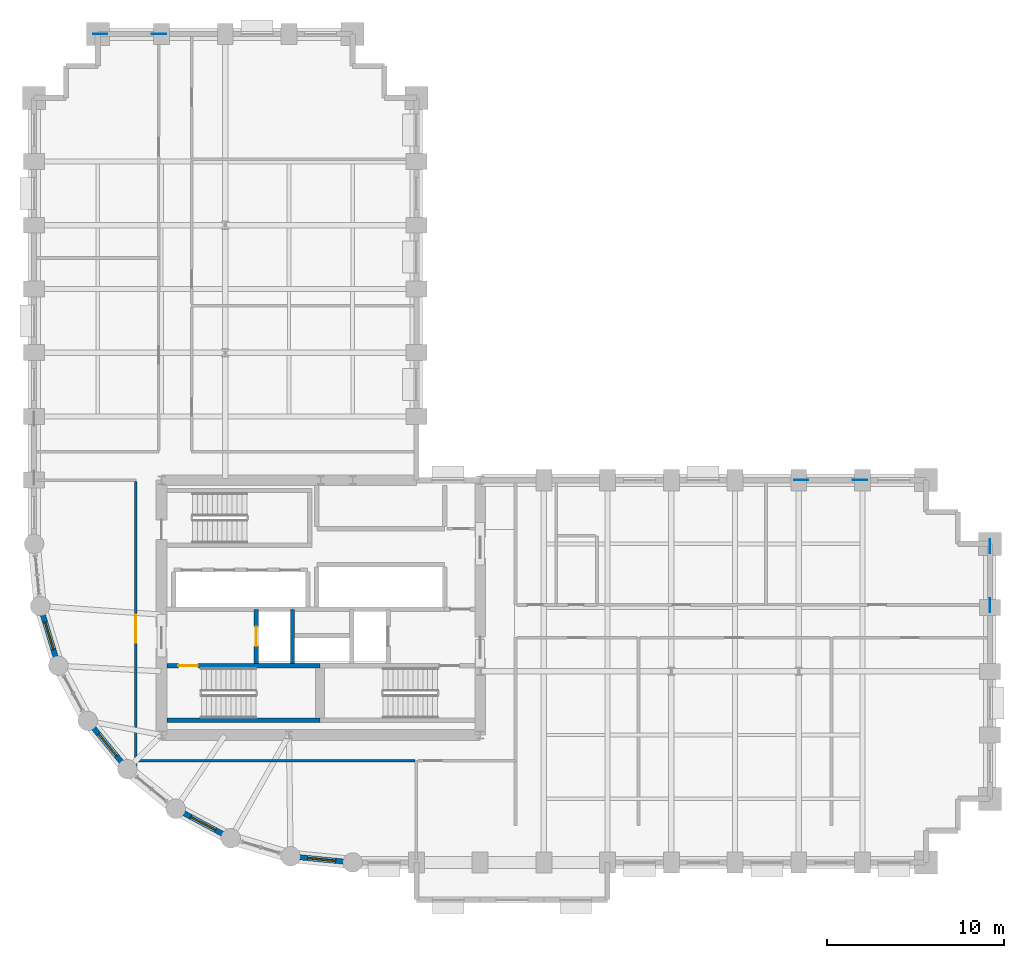
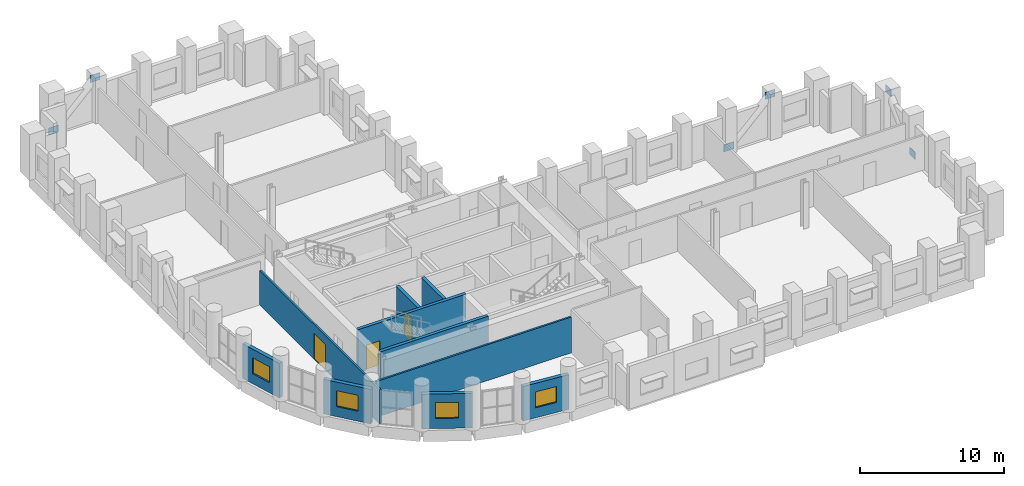
# One storey, part 8 of 14: 10 walls, 6 plates, 4 windows, 3 doors, 7 openings.
"""IFC4 building model written with IfcOpenShell, lengths in metres."""

from ifc_helpers import new_model, si_unit, direction, frame, frame_2d, origin, origin_2d, place, context, subcontext, project, spatial, rectangle, extrude, material, layer, layer_set, type_object, element, fill, save


model = new_model("IFC4")

# Units and contexts
model_context = context("Model", 3, precision=1e-05, world=origin(), true_north=direction((0.0, 1.0)))
body_context = subcontext(model_context, "Body", "Model", "MODEL_VIEW")
ifc_project = project(units=[si_unit("LENGTHUNIT", "METRE"), si_unit("AREAUNIT", "SQUARE_METRE"), si_unit("VOLUMEUNIT", "CUBIC_METRE"), si_unit("PLANEANGLEUNIT", "RADIAN"), si_unit("MASSUNIT", "GRAM", prefix="KILO")], contexts=[model_context])

# Site, building, storey
site_placement = place(None, origin())
site = spatial("IfcSite", under=ifc_project, at=site_placement, CompositionType="ELEMENT")
building_placement = place(site_placement, origin())
building = spatial("IfcBuilding", under=site, at=building_placement, Name="Solnavia Interchange Tower", CompositionType="ELEMENT")
storey_placement = place(building_placement, frame((0.0, 0.0, 63.0)))
storey = spatial("IfcBuildingStorey", under=building, at=storey_placement, Name="L15", CompositionType="ELEMENT", Elevation=63.0)

# Plates
ifc_material_1 = material(Name="Steel S460", Category="steel")
ifc_layer_1 = layer(ifc_material_1, 0.035888671875)
ifc_layer_set_1 = layer_set([ifc_layer_1], Name="Steel S460")
plate_type = type_object("IfcPlateType", Name="Plate-Gusset-800x600x36", PredefinedType="USERDEFINED", material=ifc_layer_set_1)
for number, where, z_axis, x_axis, name in (
    (1, (61.199951171875, 18.139892578125, -0.1201171875), (0.0, 0.0, 1.0), (0.0, 1.0, 0.0), "PLT-L15-GP03 Perimeter brace gusset plate"),
    (2, (61.199951171875, 21.4599609375, 3.169921875), (0.0, 0.0, 1.0), (0.0, 1.0, 0.0), "PLT-L15-GP04 Perimeter brace gusset plate"),
    (3, (10.93994140625, 50.39990234375, -0.1201171875), (0.0, 0.0, 1.0), (1.0, 0.0, 0.0), "PLT-L15-GP05 Perimeter brace gusset plate"),
    (4, (14.260009765625, 50.39990234375, 3.169921875), (0.0, 0.0, 1.0), (1.0, 0.0, 0.0), "PLT-L15-GP06 Perimeter brace gusset plate"),
    (5, (50.5400390625, 25.199951171875, -0.1201171875), (0.0, 0.0, 1.0), (1.0, 0.0, 0.0), "PLT-L15-GP07 Perimeter brace gusset plate"),
    (6, (53.860107421875, 25.199951171875, 3.169921875), (0.0, 0.0, 1.0), (1.0, 0.0, 0.0), "PLT-L15-GP08 Perimeter brace gusset plate"),
):
    element("IfcPlate", number, at=place(storey_placement, frame(where, z_axis=z_axis, x_axis=x_axis)), inside=storey, type_object=plate_type, Name=name, ObjectType="GUSSET PLATE", PredefinedType="USERDEFINED", context=body_context, shape_type="SweptSolid", body=[
        extrude(rectangle(XDim=0.800048828125, YDim=0.035888671875, at=origin_2d()), origin(), (0.0, 0.0, 1.0), 0.60009765625),
    ])

# Wall, opening, window
ifc_material_2 = material(Name="Concrete C40/50", Category="concrete")
ifc_layer_2 = layer(ifc_material_2, 0.300048828125)
ifc_layer_set_2 = layer_set([ifc_layer_2], Name="Concrete C40/50")
wall_type_1 = type_object("IfcWallType", Name="Wall-ExtSpandrel-300", PredefinedType="STANDARD", material=ifc_layer_set_2)
wall_1_placement = place(storey_placement, frame((8.570068359375, 14.7119140625, 0.0), z_axis=(0.0, 0.0, 1.0), x_axis=(-0.290305086481, 0.956934144423, 0.0)))
wall_1 = element("IfcWall", 7, at=wall_1_placement, inside=storey, type_object=wall_type_1, Name="EXW-L15-58 Exterior precast spandrel wall", PredefinedType="STANDARD", context=body_context, shape_type="SweptSolid", body=[
    extrude(rectangle(XDim=3.52783203125, YDim=0.300048828125, at=frame_2d((1.763916015625, 0.0))), origin(), (0.0, 0.0, 1.0), 2.929931640625),
])
opening_1_placement = place(wall_1_placement, frame((0.964111328125, 0.0, 0.85009765625)))
opening_1 = element("IfcOpeningElement", 8, at=opening_1_placement, cuts=wall_1, Name="Opening WIN-04", PredefinedType="OPENING", context=body_context, shape_type="SweptSolid", body=[
    extrude(rectangle(XDim=1.60009765625, YDim=1.35009765625, at=frame_2d((0.800048828125, 0.675048828125))), frame((0.0, 0.16015625, 0.0), z_axis=(0.0, -1.0, 0.0), x_axis=(1.0, 0.0, 0.0)), (0.0, 0.0, 1.0), 0.320068359375),
])
ifc_material_3 = material(Name="Thermal-Break Aluminium & Low-E Glass", Category="aluminium")
window_type = type_object("IfcWindowType", Name="Window-Drum-1600x1350", PartitioningType="SINGLE_PANEL", PredefinedType="WINDOW", material=ifc_material_3)
window_1_placement = place(opening_1_placement, origin())
window_1 = element("IfcWindow", 9, at=window_1_placement, inside=storey, type_object=window_type, Name="WIN-L15-58 Facade ribbon window", OverallHeight=1.35009765625, OverallWidth=1.60009765625, PartitioningType="SINGLE_PANEL", PredefinedType="WINDOW", context=body_context, shape_type="SweptSolid", body=[
    extrude(rectangle(XDim=1.60009765625, YDim=1.35009765625, at=frame_2d((0.800048828125, 0.675048828125))), frame((0.0, 0.030029296875, 0.0), z_axis=(0.0, -1.0, 0.0), x_axis=(1.0, 0.0, 0.0)), (0.0, 0.0, 1.0), 0.06005859375),
])
fill(opening_1, window_1)

wall_2_placement = place(storey_placement, frame((12.471923828125, 8.8720703125, 0.0), z_axis=(0.0, 0.0, 1.0), x_axis=(-0.634258295121, 0.773121216285, 0.0)))
wall_2 = element("IfcWall", 10, at=wall_2_placement, inside=storey, type_object=wall_type_1, Name="EXW-L15-60 Exterior precast spandrel wall", PredefinedType="STANDARD", context=body_context, shape_type="SweptSolid", body=[
    extrude(rectangle(XDim=3.528564453125, YDim=0.300048828125, at=frame_2d((1.76416015625, 0.0))), origin(), (0.0, 0.0, 1.0), 2.929931640625),
])
opening_2_placement = place(wall_2_placement, frame((0.964111328125, 0.0, 0.85009765625)))
opening_2 = element("IfcOpeningElement", 11, at=opening_2_placement, cuts=wall_2, Name="Opening WIN-04", PredefinedType="OPENING", context=body_context, shape_type="SweptSolid", body=[
    extrude(rectangle(XDim=1.60009765625, YDim=1.35009765625, at=frame_2d((0.800048828125, 0.675048828125))), frame((0.0, 0.16015625, 0.0), z_axis=(0.0, -1.0, 0.0), x_axis=(1.0, 0.0, 0.0)), (0.0, 0.0, 1.0), 0.320068359375),
])
window_2_placement = place(opening_2_placement, origin())
window_2 = element("IfcWindow", 12, at=window_2_placement, inside=storey, type_object=window_type, Name="WIN-L15-60 Facade ribbon window", OverallHeight=1.35009765625, OverallWidth=1.60009765625, PartitioningType="SINGLE_PANEL", PredefinedType="WINDOW", context=body_context, shape_type="SweptSolid", body=[
    extrude(rectangle(XDim=1.60009765625, YDim=1.35009765625, at=frame_2d((0.800048828125, 0.675048828125))), frame((0.0, 0.030029296875, 0.0), z_axis=(0.0, -1.0, 0.0), x_axis=(1.0, 0.0, 0.0)), (0.0, 0.0, 1.0), 0.06005859375),
])
fill(opening_2, window_2)

wall_3_placement = place(storey_placement, frame((18.31201171875, 4.969970703125, 0.0), z_axis=(0.0, 0.0, 1.0), x_axis=(-0.881846862014, 0.471535907389, 0.0)))
wall_3 = element("IfcWall", 13, at=wall_3_placement, inside=storey, type_object=wall_type_1, Name="EXW-L15-62 Exterior precast spandrel wall", PredefinedType="STANDARD", context=body_context, shape_type="SweptSolid", body=[
    extrude(rectangle(XDim=3.529052734375, YDim=0.300048828125, at=frame_2d((1.7646484375, 0.0))), origin(), (0.0, 0.0, 1.0), 2.929931640625),
])
opening_3_placement = place(wall_3_placement, frame((0.964111328125, 0.0, 0.85009765625)))
opening_3 = element("IfcOpeningElement", 14, at=opening_3_placement, cuts=wall_3, Name="Opening WIN-04", PredefinedType="OPENING", context=body_context, shape_type="SweptSolid", body=[
    extrude(rectangle(XDim=1.60009765625, YDim=1.35009765625, at=frame_2d((0.800048828125, 0.675048828125))), frame((0.0, 0.16015625, 0.0), z_axis=(0.0, -1.0, 0.0), x_axis=(1.0, 0.0, 0.0)), (0.0, 0.0, 1.0), 0.320068359375),
])
window_3_placement = place(opening_3_placement, origin())
window_3 = element("IfcWindow", 15, at=window_3_placement, inside=storey, type_object=window_type, Name="WIN-L15-62 Facade ribbon window", OverallHeight=1.35009765625, OverallWidth=1.60009765625, PartitioningType="SINGLE_PANEL", PredefinedType="WINDOW", context=body_context, shape_type="SweptSolid", body=[
    extrude(rectangle(XDim=1.60009765625, YDim=1.35009765625, at=frame_2d((0.800048828125, 0.675048828125))), frame((0.0, 0.030029296875, 0.0), z_axis=(0.0, -1.0, 0.0), x_axis=(1.0, 0.0, 0.0)), (0.0, 0.0, 1.0), 0.06005859375),
])
fill(opening_3, window_3)

wall_4_placement = place(storey_placement, frame((25.199951171875, 3.60009765625, 0.0), z_axis=(0.0, 0.0, 1.0), x_axis=(-0.995183369056, 0.098030923459, 0.0)))
wall_4 = element("IfcWall", 16, at=wall_4_placement, inside=storey, type_object=wall_type_1, Name="EXW-L15-64 Exterior precast spandrel wall", PredefinedType="STANDARD", context=body_context, shape_type="SweptSolid", body=[
    extrude(rectangle(XDim=3.529052734375, YDim=0.300048828125, at=frame_2d((1.7646484375, 0.0))), origin(), (0.0, 0.0, 1.0), 2.929931640625),
])
opening_4_placement = place(wall_4_placement, frame((0.965087890625, 0.0, 0.85009765625)))
opening_4 = element("IfcOpeningElement", 17, at=opening_4_placement, cuts=wall_4, Name="Opening WIN-04", PredefinedType="OPENING", context=body_context, shape_type="SweptSolid", body=[
    extrude(rectangle(XDim=1.60009765625, YDim=1.35009765625, at=frame_2d((0.800048828125, 0.675048828125))), frame((0.0, 0.16015625, 0.0), z_axis=(0.0, -1.0, 0.0), x_axis=(1.0, 0.0, 0.0)), (0.0, 0.0, 1.0), 0.320068359375),
])
window_4_placement = place(opening_4_placement, origin())
window_4 = element("IfcWindow", 18, at=window_4_placement, inside=storey, type_object=window_type, Name="WIN-L15-64 Facade ribbon window", OverallHeight=1.35009765625, OverallWidth=1.60009765625, PartitioningType="SINGLE_PANEL", PredefinedType="WINDOW", context=body_context, shape_type="SweptSolid", body=[
    extrude(rectangle(XDim=1.60009765625, YDim=1.35009765625, at=frame_2d((0.800048828125, 0.675048828125))), frame((0.0, 0.030029296875, 0.0), z_axis=(0.0, -1.0, 0.0), x_axis=(1.0, 0.0, 0.0)), (0.0, 0.0, 1.0), 0.06005859375),
])
fill(opening_4, window_4)

# Wall, opening, door
ifc_material_4 = material(Name="Gypsum Plasterboard & Steel Stud", Category="steel")
ifc_layer_3 = layer(ifc_material_4, 0.14990234375)
ifc_layer_set_3 = layer_set([ifc_layer_3], Name="Gypsum Plasterboard & Steel Stud")
wall_type_2 = type_object("IfcWallType", Name="Wall-Partition-150", PredefinedType="PARTITIONING", material=ifc_layer_set_3)
wall_5_placement = place(storey_placement, frame((12.949951171875, 8.47998046875, 0.0), z_axis=(0.0, 0.0, 1.0), x_axis=(0.0, 1.0, 0.0)))
wall_5 = element("IfcWall", 19, at=wall_5_placement, inside=storey, type_object=wall_type_2, Name="PTW-L15-09 Interior partition wall", PredefinedType="PARTITIONING", context=body_context, shape_type="SweptSolid", body=[
    extrude(rectangle(XDim=16.64111328125, YDim=0.14990234375, at=frame_2d((8.320556640625, 0.0))), origin(), (0.0, 0.0, 1.0), 2.929931640625),
])
opening_5_placement = place(wall_5_placement, frame((7.52001953125, 0.0, 0.0)))
opening_5 = element("IfcOpeningElement", 20, at=opening_5_placement, cuts=wall_5, Name="Opening DR-08", PredefinedType="OPENING", context=body_context, shape_type="SweptSolid", body=[
    extrude(rectangle(XDim=1.60009765625, YDim=2.199951171875, at=frame_2d((0.800048828125, 1.10009765625))), frame((0.0, 0.0849609375, 0.0), z_axis=(0.0, -1.0, 0.0), x_axis=(1.0, 0.0, 0.0)), (0.0, 0.0, 1.0), 0.169921875),
])
ifc_material_5 = material(Name="Thermally Broken Aluminium & Toughened Glass", Category="aluminium")
door_type_1 = type_object("IfcDoorType", Name="Door-RetailDouble-1600x2200", OperationType="DOUBLE_DOOR_SINGLE_SWING", PredefinedType="DOOR", material=ifc_material_5)
door_1_placement = place(opening_5_placement, origin())
door_1 = element("IfcDoor", 21, at=door_1_placement, inside=storey, type_object=door_type_1, Name="DR-L15-03 Interior room door", OperationType="DOUBLE_DOOR_SINGLE_SWING", OverallHeight=2.199951171875, OverallWidth=1.60009765625, PredefinedType="DOOR", context=body_context, shape_type="SweptSolid", body=[
    extrude(rectangle(XDim=1.60009765625, YDim=2.199951171875, at=frame_2d((0.800048828125, 1.10009765625))), frame((0.0, 0.02490234375, 0.0), z_axis=(0.0, -1.0, 0.0), x_axis=(1.0, 0.0, 0.0)), (0.0, 0.0, 1.0), 0.050048828125),
])
fill(opening_5, door_1)

# Walls
wall_6_placement = place(storey_placement, frame((13.080078125, 9.35009765625, 0.0), z_axis=(0.0, 0.0, 1.0), x_axis=(1.0, 0.0, 0.0)))
element("IfcWall", 22, at=wall_6_placement, inside=storey, type_object=wall_type_2, Name="PTW-L15-10 Interior partition wall", PredefinedType="PARTITIONING", context=body_context, shape_type="SweptSolid", body=[
    extrude(rectangle(XDim=15.640869140625, YDim=0.14990234375, at=frame_2d((7.8203125, 0.0))), origin(), (0.0, 0.0, 1.0), 3.0400390625),
])
ifc_layer_4 = layer(ifc_material_2, 0.25)
ifc_layer_set_4 = layer_set([ifc_layer_4], Name="Concrete C40/50")
wall_type_3 = type_object("IfcWallType", Name="Wall-ShaftCore-250", PredefinedType="SHEAR", material=ifc_layer_set_4)
wall_7_placement = place(storey_placement, frame((14.699951171875, 11.625, 0.0), z_axis=(0.0, 0.0, 1.0), x_axis=(1.0, 0.0, 0.0)))
element("IfcWall", 23, at=wall_7_placement, inside=storey, type_object=wall_type_3, Name="SHW-L15-ST1S Core shear wall", PredefinedType="SHEAR", context=body_context, shape_type="SweptSolid", body=[
    extrude(rectangle(XDim=8.650146484375, YDim=0.25, at=frame_2d((4.3251953125, 0.0))), origin(), (0.0, 0.0, 1.0), 3.64990234375),
])

# Wall, opening, door
wall_8_placement = place(storey_placement, frame((14.699951171875, 14.715087890625, 0.0), z_axis=(0.0, 0.0, 1.0), x_axis=(1.0, 0.0, 0.0)))
wall_8 = element("IfcWall", 24, at=wall_8_placement, inside=storey, type_object=wall_type_3, Name="SHW-L15-ST1N Core shear wall", PredefinedType="SHEAR", context=body_context, shape_type="SweptSolid", body=[
    extrude(rectangle(XDim=8.650146484375, YDim=0.25, at=frame_2d((4.3251953125, 0.0))), origin(), (0.0, 0.0, 1.0), 3.64990234375),
])
opening_6_placement = place(wall_8_placement, frame((0.655029296875, 0.0, 0.0)))
opening_6 = element("IfcOpeningElement", 25, at=opening_6_placement, cuts=wall_8, Name="Opening DR-01", PredefinedType="OPENING", context=body_context, shape_type="SweptSolid", body=[
    extrude(rectangle(XDim=1.10009765625, YDim=2.10009765625, at=frame_2d((0.550048828125, 1.050048828125))), frame((0.0, 0.135009765625, 0.0), z_axis=(0.0, -1.0, 0.0), x_axis=(1.0, 0.0, 0.0)), (0.0, 0.0, 1.0), 0.27001953125),
])
ifc_material_6 = material(Name="Steel Fire-Rated Leaf & Frame", Category="steel")
door_type_2 = type_object("IfcDoorType", Name="Door-StairFire-1100x2100", OperationType="SINGLE_SWING_LEFT", PredefinedType="DOOR", material=ifc_material_6)
door_2_placement = place(opening_6_placement, origin())
door_2 = element("IfcDoor", 26, at=door_2_placement, inside=storey, type_object=door_type_2, Name="DR-L15-ST1 Core fire door", OperationType="SINGLE_SWING_LEFT", OverallHeight=2.10009765625, OverallWidth=1.10009765625, PredefinedType="DOOR", context=body_context, shape_type="SweptSolid", body=[
    extrude(rectangle(XDim=1.10009765625, YDim=2.10009765625, at=frame_2d((0.550048828125, 1.050048828125))), frame((0.0, 0.02490234375, 0.0), z_axis=(0.0, -1.0, 0.0), x_axis=(1.0, 0.0, 0.0)), (0.0, 0.0, 1.0), 0.050048828125),
])
fill(opening_6, door_2)

ifc_layer_5 = layer(ifc_material_2, 0.25)
ifc_layer_set_5 = layer_set([ifc_layer_5], Name="Concrete C40/50")
wall_type_4 = type_object("IfcWallType", Name="Wall-ShaftPart-250", PredefinedType="PARTITIONING", material=ifc_layer_set_5)
wall_9_placement = place(storey_placement, frame((19.75, 14.840087890625, 0.0), z_axis=(0.0, 0.0, 1.0), x_axis=(0.0, 1.0, 0.0)))
wall_9 = element("IfcWall", 27, at=wall_9_placement, inside=storey, type_object=wall_type_4, Name="SHW-L15-FFL1-W Core shaft wall", PredefinedType="PARTITIONING", context=body_context, shape_type="SweptSolid", body=[
    extrude(rectangle(XDim=3.059814453125, YDim=0.25, at=frame_2d((1.52978515625, 0.0))), origin(), (0.0, 0.0, 1.0), 3.635009765625),
])
opening_7_placement = place(wall_9_placement, frame((0.97998046875, 0.0, 0.0)))
opening_7 = element("IfcOpeningElement", 28, at=opening_7_placement, cuts=wall_9, Name="Opening LD-01", PredefinedType="OPENING", context=body_context, shape_type="SweptSolid", body=[
    extrude(rectangle(XDim=1.10009765625, YDim=2.10009765625, at=frame_2d((0.550048828125, 1.050048828125))), frame((0.0, 0.135009765625, 0.0), z_axis=(0.0, -1.0, 0.0), x_axis=(1.0, 0.0, 0.0)), (0.0, 0.0, 1.0), 0.27001953125),
])
ifc_material_7 = material(Name="Brushed Stainless Steel Sliding Door", Category="steel")
door_type_3 = type_object("IfcDoorType", Name="Door-LiftLanding-1100x2100", OperationType="SLIDING_TO_LEFT", PredefinedType="DOOR", material=ifc_material_7)
door_3_placement = place(opening_7_placement, origin())
door_3 = element("IfcDoor", 29, at=door_3_placement, inside=storey, type_object=door_type_3, Name="LD-L15-FFL1 Lift landing sliding door", OperationType="SLIDING_TO_LEFT", OverallHeight=2.10009765625, OverallWidth=1.10009765625, PredefinedType="DOOR", context=body_context, shape_type="SweptSolid", body=[
    extrude(rectangle(XDim=1.10009765625, YDim=2.10009765625, at=frame_2d((0.550048828125, 1.050048828125))), frame((0.0, 0.02490234375, 0.0), z_axis=(0.0, -1.0, 0.0), x_axis=(1.0, 0.0, 0.0)), (0.0, 0.0, 1.0), 0.050048828125),
])
fill(opening_7, door_3)

# Wall
wall_10_placement = place(storey_placement, frame((21.800048828125, 14.840087890625, 0.0), z_axis=(0.0, 0.0, 1.0), x_axis=(0.0, 1.0, 0.0)))
element("IfcWall", 30, at=wall_10_placement, inside=storey, type_object=wall_type_4, Name="SHW-L15-FFL1-E Core shaft wall", PredefinedType="PARTITIONING", context=body_context, shape_type="SweptSolid", body=[
    extrude(rectangle(XDim=3.059814453125, YDim=0.25, at=frame_2d((1.52978515625, 0.0))), origin(), (0.0, 0.0, 1.0), 3.635009765625),
])

save(model, "model.ifc")
